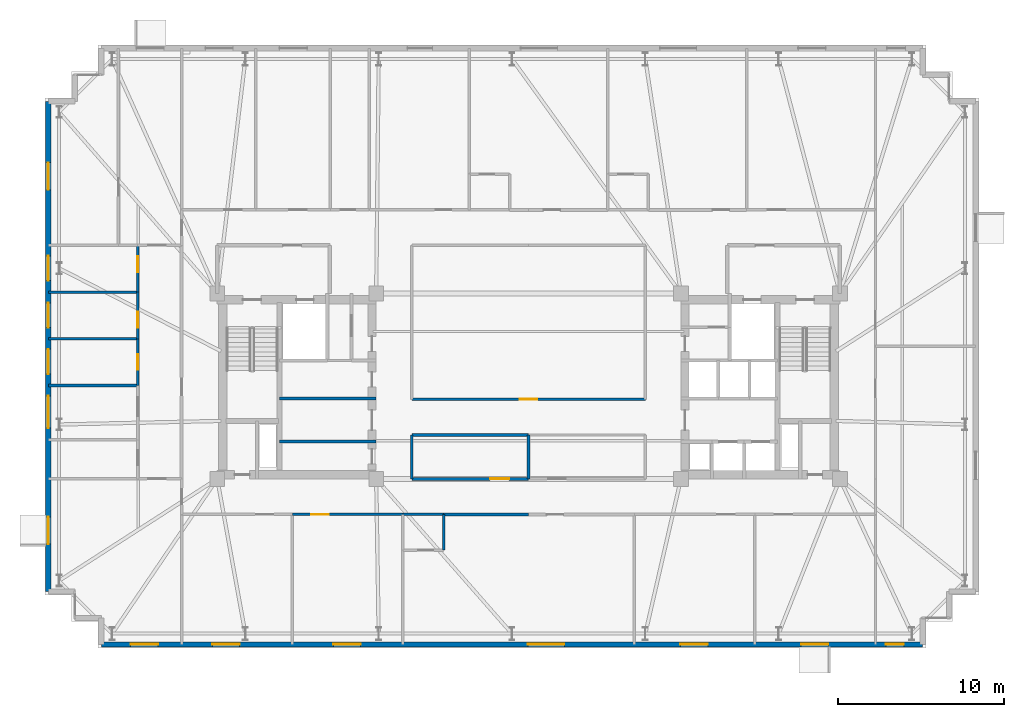
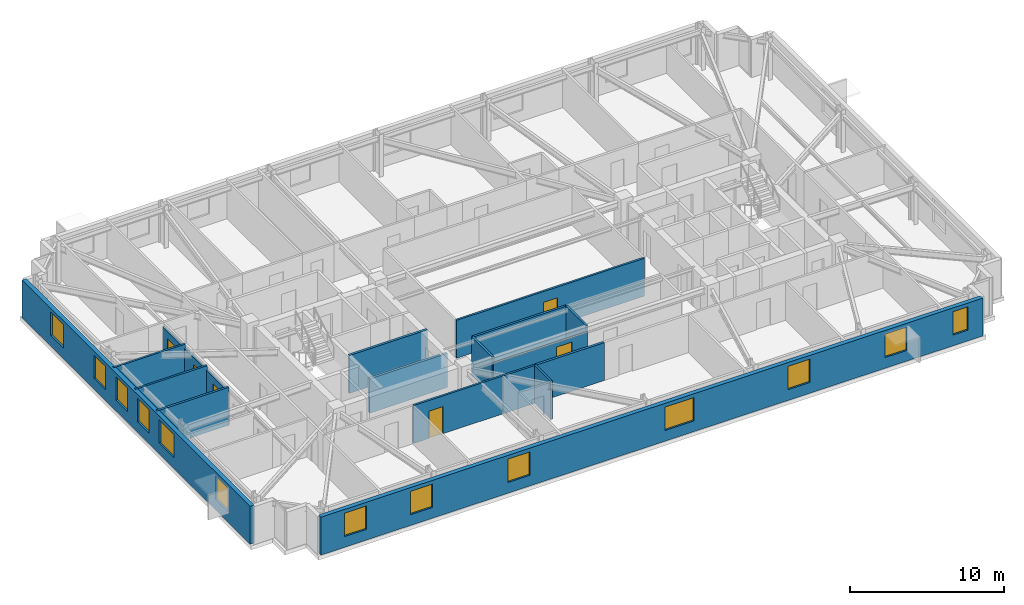
# One storey, part 11 of 17: 19 walls, 13 windows, 6 doors, 19 openings.
"""IFC4 building model written with IfcOpenShell, lengths in metres."""

from ifc_helpers import new_model, si_unit, direction, frame, frame_2d, origin, place, context, subcontext, project, spatial, rectangle, extrude, material, layer, layer_set, type_object, element, fill, save


model = new_model("IFC4")

# Units and contexts
model_context = context("Model", 3, precision=1e-05, world=origin(), true_north=direction((0.0, 1.0)))
body_context = subcontext(model_context, "Body", "Model", "MODEL_VIEW")
ifc_project = project(units=[si_unit("LENGTHUNIT", "METRE"), si_unit("AREAUNIT", "SQUARE_METRE"), si_unit("VOLUMEUNIT", "CUBIC_METRE"), si_unit("PLANEANGLEUNIT", "RADIAN"), si_unit("MASSUNIT", "GRAM", prefix="KILO")], contexts=[model_context])

# Site, building, storey
site_placement = place(None, origin())
site = spatial("IfcSite", under=ifc_project, at=site_placement, CompositionType="ELEMENT")
building_placement = place(site_placement, origin())
building = spatial("IfcBuilding", under=site, at=building_placement, Name="Qobustan Lattice House", CompositionType="ELEMENT")
storey_placement = place(building_placement, frame((0.0, 0.0, 171.199951171875)))
storey = spatial("IfcBuildingStorey", under=building, at=storey_placement, Name="L48", CompositionType="ELEMENT", Elevation=171.199951171875)

# Wall, openings, windows
ifc_material_1 = material(Name="Precast concrete C40/50", Category="concrete")
ifc_layer_1 = layer(ifc_material_1, 0.320068359375)
ifc_layer_set_1 = layer_set([ifc_layer_1], Name="Precast concrete C40/50")
wall_type_1 = type_object("IfcWallType", Name="WAL-EXT-STONE-320", PredefinedType="SOLIDWALL", material=ifc_layer_set_1)
wall_1_placement = place(storey_placement, frame((-29.0, -12.39990234375, 0.0), z_axis=(0.0, 0.0, 1.0), x_axis=(0.0, 1.0, 0.0)))
wall_1 = element("IfcWall", 1, at=wall_1_placement, inside=storey, type_object=wall_type_1, Name="L48 exterior limestone-clad wall 5", PredefinedType="SOLIDWALL", context=body_context, shape_type="SweptSolid", body=[
    extrude(rectangle(XDim=29.599853515625, YDim=0.320068359375, at=frame_2d((14.7998046875, 0.0))), origin(), (0.0, 0.0, 1.0), 3.0),
])
opening_1_placement = place(wall_1_placement, frame((2.85498046875, 0.0, 0.85009765625)))
opening_1 = element("IfcOpeningElement", 2, at=opening_1_placement, cuts=wall_1, Name="Opening WN-09", PredefinedType="OPENING", context=body_context, shape_type="SweptSolid", body=[
    extrude(rectangle(XDim=1.64990234375, YDim=1.85009765625, at=frame_2d((0.824951171875, 0.925048828125))), frame((0.0, 0.169921875, 0.0), z_axis=(0.0, -1.0, 0.0), x_axis=(1.0, 0.0, 0.0)), (0.0, 0.0, 1.0), 0.340087890625),
])
opening_2_placement = place(wall_1_placement, frame((9.864990234375, 0.0, 0.85009765625)))
opening_2 = element("IfcOpeningElement", 3, at=opening_2_placement, cuts=wall_1, Name="Opening WN-08", PredefinedType="OPENING", context=body_context, shape_type="SweptSolid", body=[
    extrude(rectangle(XDim=1.949951171875, YDim=1.85009765625, at=frame_2d((0.97509765625, 0.925048828125))), frame((0.0, 0.169921875, 0.0), z_axis=(0.0, -1.0, 0.0), x_axis=(1.0, 0.0, 0.0)), (0.0, 0.0, 1.0), 0.340087890625),
])
opening_3_placement = place(wall_1_placement, frame((13.1298828125, 0.0, 0.85009765625)))
opening_3 = element("IfcOpeningElement", 4, at=opening_3_placement, cuts=wall_1, Name="Opening WN-01", PredefinedType="OPENING", context=body_context, shape_type="SweptSolid", body=[
    extrude(rectangle(XDim=1.5, YDim=1.85009765625, at=frame_2d((0.75, 0.925048828125))), frame((0.0, 0.169921875, 0.0), z_axis=(0.0, -1.0, 0.0), x_axis=(1.0, 0.0, 0.0)), (0.0, 0.0, 1.0), 0.340087890625),
])
opening_4_placement = place(wall_1_placement, frame((15.929931640625, 0.0, 0.85009765625)))
opening_4 = element("IfcOpeningElement", 5, at=opening_4_placement, cuts=wall_1, Name="Opening WN-01", PredefinedType="OPENING", context=body_context, shape_type="SweptSolid", body=[
    extrude(rectangle(XDim=1.5, YDim=1.85009765625, at=frame_2d((0.75, 0.925048828125))), frame((0.0, 0.169921875, 0.0), z_axis=(0.0, -1.0, 0.0), x_axis=(1.0, 0.0, 0.0)), (0.0, 0.0, 1.0), 0.340087890625),
])
opening_5_placement = place(wall_1_placement, frame((18.77001953125, 0.0, 0.85009765625)))
opening_5 = element("IfcOpeningElement", 6, at=opening_5_placement, cuts=wall_1, Name="Opening WN-01", PredefinedType="OPENING", context=body_context, shape_type="SweptSolid", body=[
    extrude(rectangle(XDim=1.5, YDim=1.85009765625, at=frame_2d((0.75, 0.925048828125))), frame((0.0, 0.169921875, 0.0), z_axis=(0.0, -1.0, 0.0), x_axis=(1.0, 0.0, 0.0)), (0.0, 0.0, 1.0), 0.340087890625),
])
opening_6_placement = place(wall_1_placement, frame((24.2548828125, 0.0, 0.85009765625)))
opening_6 = element("IfcOpeningElement", 7, at=opening_6_placement, cuts=wall_1, Name="Opening WN-09", PredefinedType="OPENING", context=body_context, shape_type="SweptSolid", body=[
    extrude(rectangle(XDim=1.64990234375, YDim=1.85009765625, at=frame_2d((0.824951171875, 0.925048828125))), frame((0.0, 0.169921875, 0.0), z_axis=(0.0, -1.0, 0.0), x_axis=(1.0, 0.0, 0.0)), (0.0, 0.0, 1.0), 0.340087890625),
])
ifc_material_2 = material(Name="Double-glazed low-E aluminium window", Category="aluminium")
window_type_1 = type_object("IfcWindowType", Name="WIN-BED-1500x1850", PartitioningType="SINGLE_PANEL", PredefinedType="WINDOW", material=ifc_material_2)
window_1_placement = place(opening_3_placement, origin())
window_1 = element("IfcWindow", 8, at=window_1_placement, inside=storey, type_object=window_type_1, Name="L48 Cluster bedroom L48W1 window", OverallHeight=1.85009765625, OverallWidth=1.5, PartitioningType="SINGLE_PANEL", PredefinedType="WINDOW", context=body_context, shape_type="SweptSolid", body=[
    extrude(rectangle(XDim=1.5, YDim=1.85009765625, at=frame_2d((0.75, 0.925048828125))), frame((0.0, 0.030029296875, 0.0), z_axis=(0.0, -1.0, 0.0), x_axis=(1.0, 0.0, 0.0)), (0.0, 0.0, 1.0), 0.06005859375),
])
fill(opening_3, window_1)
window_2_placement = place(opening_4_placement, origin())
window_2 = element("IfcWindow", 9, at=window_2_placement, inside=storey, type_object=window_type_1, Name="L48 Cluster bedroom L48W2 window", OverallHeight=1.85009765625, OverallWidth=1.5, PartitioningType="SINGLE_PANEL", PredefinedType="WINDOW", context=body_context, shape_type="SweptSolid", body=[
    extrude(rectangle(XDim=1.5, YDim=1.85009765625, at=frame_2d((0.75, 0.925048828125))), frame((0.0, 0.030029296875, 0.0), z_axis=(0.0, -1.0, 0.0), x_axis=(1.0, 0.0, 0.0)), (0.0, 0.0, 1.0), 0.06005859375),
])
fill(opening_4, window_2)
window_3_placement = place(opening_5_placement, origin())
window_3 = element("IfcWindow", 10, at=window_3_placement, inside=storey, type_object=window_type_1, Name="L48 Cluster bedroom L48W3 window", OverallHeight=1.85009765625, OverallWidth=1.5, PartitioningType="SINGLE_PANEL", PredefinedType="WINDOW", context=body_context, shape_type="SweptSolid", body=[
    extrude(rectangle(XDim=1.5, YDim=1.85009765625, at=frame_2d((0.75, 0.925048828125))), frame((0.0, 0.030029296875, 0.0), z_axis=(0.0, -1.0, 0.0), x_axis=(1.0, 0.0, 0.0)), (0.0, 0.0, 1.0), 0.06005859375),
])
fill(opening_5, window_3)
ifc_material_3 = material(Name="Double-glazed low-E aluminium window", Category="aluminium")
window_type_2 = type_object("IfcWindowType", Name="WIN-KIT-1950x1850", PartitioningType="SINGLE_PANEL", PredefinedType="WINDOW", material=ifc_material_3)
window_4_placement = place(opening_2_placement, origin())
window_4 = element("IfcWindow", 11, at=window_4_placement, inside=storey, type_object=window_type_2, Name="L48 Shared kitchen L48W window", OverallHeight=1.85009765625, OverallWidth=1.949951171875, PartitioningType="SINGLE_PANEL", PredefinedType="WINDOW", context=body_context, shape_type="SweptSolid", body=[
    extrude(rectangle(XDim=1.949951171875, YDim=1.85009765625, at=frame_2d((0.97509765625, 0.925048828125))), frame((0.0, 0.030029296875, 0.0), z_axis=(0.0, -1.0, 0.0), x_axis=(1.0, 0.0, 0.0)), (0.0, 0.0, 1.0), 0.06005859375),
])
fill(opening_2, window_4)
ifc_material_4 = material(Name="Double-glazed low-E aluminium window", Category="aluminium")
window_type_3 = type_object("IfcWindowType", Name="WIN-STU-1650x1850", PartitioningType="SINGLE_PANEL", PredefinedType="WINDOW", material=ifc_material_4)
window_5_placement = place(opening_1_placement, origin())
window_5 = element("IfcWindow", 12, at=window_5_placement, inside=storey, type_object=window_type_3, Name="L48 Reading study room L48WS window", OverallHeight=1.85009765625, OverallWidth=1.64990234375, PartitioningType="SINGLE_PANEL", PredefinedType="WINDOW", context=body_context, shape_type="SweptSolid", body=[
    extrude(rectangle(XDim=1.64990234375, YDim=1.85009765625, at=frame_2d((0.824951171875, 0.925048828125))), frame((0.0, 0.030029296875, 0.0), z_axis=(0.0, -1.0, 0.0), x_axis=(1.0, 0.0, 0.0)), (0.0, 0.0, 1.0), 0.06005859375),
])
fill(opening_1, window_5)
window_6_placement = place(opening_6_placement, origin())
window_6 = element("IfcWindow", 13, at=window_6_placement, inside=storey, type_object=window_type_3, Name="L48 Collaborative study room L48WN window", OverallHeight=1.85009765625, OverallWidth=1.64990234375, PartitioningType="SINGLE_PANEL", PredefinedType="WINDOW", context=body_context, shape_type="SweptSolid", body=[
    extrude(rectangle(XDim=1.64990234375, YDim=1.85009765625, at=frame_2d((0.824951171875, 0.925048828125))), frame((0.0, 0.030029296875, 0.0), z_axis=(0.0, -1.0, 0.0), x_axis=(1.0, 0.0, 0.0)), (0.0, 0.0, 1.0), 0.06005859375),
])
fill(opening_6, window_6)

wall_2_placement = place(storey_placement, frame((23.800048828125, -15.60009765625, 0.0), z_axis=(0.0, 0.0, 1.0), x_axis=(-1.0, 0.0, 0.0)))
wall_2 = element("IfcWall", 14, at=wall_2_placement, inside=storey, type_object=wall_type_1, Name="L48 exterior limestone-clad wall 20", PredefinedType="SOLIDWALL", context=body_context, shape_type="SweptSolid", body=[
    extrude(rectangle(XDim=49.60009765625, YDim=0.320068359375, at=frame_2d((24.800048828125, 0.0))), origin(), (0.0, 0.0, 1.0), 3.0),
])
opening_7_placement = place(wall_2_placement, frame((1.1298828125, 0.0, 0.85009765625)))
opening_7 = element("IfcOpeningElement", 15, at=opening_7_placement, cuts=wall_2, Name="Opening WN-04", PredefinedType="OPENING", context=body_context, shape_type="SweptSolid", body=[
    extrude(rectangle(XDim=1.10009765625, YDim=1.85009765625, at=frame_2d((0.550048828125, 0.925048828125))), frame((0.0, 0.169921875, 0.0), z_axis=(0.0, -1.0, 0.0), x_axis=(1.0, 0.0, 0.0)), (0.0, 0.0, 1.0), 0.340087890625),
])
opening_8_placement = place(wall_2_placement, frame((5.695068359375, 0.0, 0.85009765625)))
opening_8 = element("IfcOpeningElement", 16, at=opening_8_placement, cuts=wall_2, Name="Opening WN-09", PredefinedType="OPENING", context=body_context, shape_type="SweptSolid", body=[
    extrude(rectangle(XDim=1.64990234375, YDim=1.85009765625, at=frame_2d((0.824951171875, 0.925048828125))), frame((0.0, 0.169921875, 0.0), z_axis=(0.0, -1.0, 0.0), x_axis=(1.0, 0.0, 0.0)), (0.0, 0.0, 1.0), 0.340087890625),
])
opening_9_placement = place(wall_2_placement, frame((12.97509765625, 0.0, 0.85009765625)))
opening_9 = element("IfcOpeningElement", 17, at=opening_9_placement, cuts=wall_2, Name="Opening WN-09", PredefinedType="OPENING", context=body_context, shape_type="SweptSolid", body=[
    extrude(rectangle(XDim=1.64990234375, YDim=1.85009765625, at=frame_2d((0.824951171875, 0.925048828125))), frame((0.0, 0.169921875, 0.0), z_axis=(0.0, -1.0, 0.0), x_axis=(1.0, 0.0, 0.0)), (0.0, 0.0, 1.0), 0.340087890625),
])
opening_10_placement = place(wall_2_placement, frame((21.635986328125, 0.0, 0.85009765625)))
opening_10 = element("IfcOpeningElement", 18, at=opening_10_placement, cuts=wall_2, Name="Opening WN-03", PredefinedType="OPENING", context=body_context, shape_type="SweptSolid", body=[
    extrude(rectangle(XDim=2.199951171875, YDim=1.85009765625, at=frame_2d((1.10009765625, 0.925048828125))), frame((0.0, 0.169921875, 0.0), z_axis=(0.0, -1.0, 0.0), x_axis=(1.0, 0.0, 0.0)), (0.0, 0.0, 1.0), 0.340087890625),
])
opening_11_placement = place(wall_2_placement, frame((33.93505859375, 0.0, 0.85009765625)))
opening_11 = element("IfcOpeningElement", 19, at=opening_11_placement, cuts=wall_2, Name="Opening WN-09", PredefinedType="OPENING", context=body_context, shape_type="SweptSolid", body=[
    extrude(rectangle(XDim=1.64990234375, YDim=1.85009765625, at=frame_2d((0.824951171875, 0.925048828125))), frame((0.0, 0.169921875, 0.0), z_axis=(0.0, -1.0, 0.0), x_axis=(1.0, 0.0, 0.0)), (0.0, 0.0, 1.0), 0.340087890625),
])
opening_12_placement = place(wall_2_placement, frame((41.240478515625, 0.0, 0.85009765625)))
opening_12 = element("IfcOpeningElement", 20, at=opening_12_placement, cuts=wall_2, Name="Opening WN-09", PredefinedType="OPENING", context=body_context, shape_type="SweptSolid", body=[
    extrude(rectangle(XDim=1.64990234375, YDim=1.85009765625, at=frame_2d((0.824951171875, 0.925048828125))), frame((0.0, 0.169921875, 0.0), z_axis=(0.0, -1.0, 0.0), x_axis=(1.0, 0.0, 0.0)), (0.0, 0.0, 1.0), 0.340087890625),
])
opening_13_placement = place(wall_2_placement, frame((46.175048828125, 0.0, 0.85009765625)))
opening_13 = element("IfcOpeningElement", 21, at=opening_13_placement, cuts=wall_2, Name="Opening WN-09", PredefinedType="OPENING", context=body_context, shape_type="SweptSolid", body=[
    extrude(rectangle(XDim=1.64990234375, YDim=1.85009765625, at=frame_2d((0.824951171875, 0.925048828125))), frame((0.0, 0.169921875, 0.0), z_axis=(0.0, -1.0, 0.0), x_axis=(1.0, 0.0, 0.0)), (0.0, 0.0, 1.0), 0.340087890625),
])
ifc_material_5 = material(Name="Double-glazed low-E aluminium window", Category="aluminium")
window_type_4 = type_object("IfcWindowType", Name="WIN-NAR-1100x1850", PartitioningType="SINGLE_PANEL", PredefinedType="WINDOW", material=ifc_material_5)
window_7_placement = place(opening_7_placement, origin())
window_7 = element("IfcWindow", 22, at=window_7_placement, inside=storey, type_object=window_type_4, Name="L48 Fellows reading room window", OverallHeight=1.85009765625, OverallWidth=1.10009765625, PartitioningType="SINGLE_PANEL", PredefinedType="WINDOW", context=body_context, shape_type="SweptSolid", body=[
    extrude(rectangle(XDim=1.10009765625, YDim=1.85009765625, at=frame_2d((0.550048828125, 0.925048828125))), frame((0.0, 0.030029296875, 0.0), z_axis=(0.0, -1.0, 0.0), x_axis=(1.0, 0.0, 0.0)), (0.0, 0.0, 1.0), 0.06005859375),
])
fill(opening_7, window_7)
window_8_placement = place(opening_8_placement, origin())
window_8 = element("IfcWindow", 23, at=window_8_placement, inside=storey, type_object=window_type_3, Name="L48 Academic seminar room window", OverallHeight=1.85009765625, OverallWidth=1.64990234375, PartitioningType="SINGLE_PANEL", PredefinedType="WINDOW", context=body_context, shape_type="SweptSolid", body=[
    extrude(rectangle(XDim=1.64990234375, YDim=1.85009765625, at=frame_2d((0.824951171875, 0.925048828125))), frame((0.0, 0.030029296875, 0.0), z_axis=(0.0, -1.0, 0.0), x_axis=(1.0, 0.0, 0.0)), (0.0, 0.0, 1.0), 0.06005859375),
])
fill(opening_8, window_8)
window_9_placement = place(opening_9_placement, origin())
window_9 = element("IfcWindow", 24, at=window_9_placement, inside=storey, type_object=window_type_3, Name="L48 Group study room window", OverallHeight=1.85009765625, OverallWidth=1.64990234375, PartitioningType="SINGLE_PANEL", PredefinedType="WINDOW", context=body_context, shape_type="SweptSolid", body=[
    extrude(rectangle(XDim=1.64990234375, YDim=1.85009765625, at=frame_2d((0.824951171875, 0.925048828125))), frame((0.0, 0.030029296875, 0.0), z_axis=(0.0, -1.0, 0.0), x_axis=(1.0, 0.0, 0.0)), (0.0, 0.0, 1.0), 0.06005859375),
])
fill(opening_9, window_9)
window_10_placement = place(opening_11_placement, origin())
window_10 = element("IfcWindow", 25, at=window_10_placement, inside=storey, type_object=window_type_3, Name="L48 Focus study room S1B window", OverallHeight=1.85009765625, OverallWidth=1.64990234375, PartitioningType="SINGLE_PANEL", PredefinedType="WINDOW", context=body_context, shape_type="SweptSolid", body=[
    extrude(rectangle(XDim=1.64990234375, YDim=1.85009765625, at=frame_2d((0.824951171875, 0.925048828125))), frame((0.0, 0.030029296875, 0.0), z_axis=(0.0, -1.0, 0.0), x_axis=(1.0, 0.0, 0.0)), (0.0, 0.0, 1.0), 0.06005859375),
])
fill(opening_11, window_10)
window_11_placement = place(opening_12_placement, origin())
window_11 = element("IfcWindow", 26, at=window_11_placement, inside=storey, type_object=window_type_3, Name="L48 Focus study room S1A window", OverallHeight=1.85009765625, OverallWidth=1.64990234375, PartitioningType="SINGLE_PANEL", PredefinedType="WINDOW", context=body_context, shape_type="SweptSolid", body=[
    extrude(rectangle(XDim=1.64990234375, YDim=1.85009765625, at=frame_2d((0.824951171875, 0.925048828125))), frame((0.0, 0.030029296875, 0.0), z_axis=(0.0, -1.0, 0.0), x_axis=(1.0, 0.0, 0.0)), (0.0, 0.0, 1.0), 0.06005859375),
])
fill(opening_12, window_11)
window_12_placement = place(opening_13_placement, origin())
window_12 = element("IfcWindow", 27, at=window_12_placement, inside=storey, type_object=window_type_3, Name="L48 Reading study room L48WS window", OverallHeight=1.85009765625, OverallWidth=1.64990234375, PartitioningType="SINGLE_PANEL", PredefinedType="WINDOW", context=body_context, shape_type="SweptSolid", body=[
    extrude(rectangle(XDim=1.64990234375, YDim=1.85009765625, at=frame_2d((0.824951171875, 0.925048828125))), frame((0.0, 0.030029296875, 0.0), z_axis=(0.0, -1.0, 0.0), x_axis=(1.0, 0.0, 0.0)), (0.0, 0.0, 1.0), 0.06005859375),
])
fill(opening_13, window_12)
ifc_material_6 = material(Name="Double-glazed low-E aluminium window", Category="aluminium")
window_type_5 = type_object("IfcWindowType", Name="WIN-WIDE-2200x1850", PartitioningType="SINGLE_PANEL", PredefinedType="WINDOW", material=ifc_material_6)
window_13_placement = place(opening_10_placement, origin())
window_13 = element("IfcWindow", 28, at=window_13_placement, inside=storey, type_object=window_type_5, Name="L48 Kitchenette and studio apartment L48-S2 window", OverallHeight=1.85009765625, OverallWidth=2.199951171875, PartitioningType="SINGLE_PANEL", PredefinedType="WINDOW", context=body_context, shape_type="SweptSolid", body=[
    extrude(rectangle(XDim=2.199951171875, YDim=1.85009765625, at=frame_2d((1.10009765625, 0.925048828125))), frame((0.0, 0.030029296875, 0.0), z_axis=(0.0, -1.0, 0.0), x_axis=(1.0, 0.0, 0.0)), (0.0, 0.0, 1.0), 0.06005859375),
])
fill(opening_10, window_13)

# Walls
ifc_material_7 = material(Name="Gypsum fireboard acoustic partition", Category="gypsum")
ifc_layer_2 = layer(ifc_material_7, 0.179931640625)
ifc_layer_set_2 = layer_set([ifc_layer_2], Name="Gypsum fireboard acoustic partition")
wall_type_2 = type_object("IfcWallType", Name="WAL-FIRE-180", PredefinedType="PARTITIONING", material=ifc_layer_set_2)
wall_3_placement = place(storey_placement, frame((-15.050048828125, -3.35009765625, 0.0), z_axis=(0.0, 0.0, 1.0), x_axis=(1.0, 0.0, 0.0)))
element("IfcWall", 29, at=wall_3_placement, inside=storey, type_object=wall_type_2, Name="L48 interior partition 10", PredefinedType="PARTITIONING", context=body_context, shape_type="SweptSolid", body=[
    extrude(rectangle(XDim=5.85009765625, YDim=0.179931640625, at=frame_2d((2.925048828125, 0.0))), origin(), (0.0, 0.0, 1.0), 2.715087890625),
])
wall_4_placement = place(storey_placement, frame((-9.199951171875, -0.75, 0.0), z_axis=(0.0, 0.0, 1.0), x_axis=(-1.0, 0.0, 0.0)))
element("IfcWall", 30, at=wall_4_placement, inside=storey, type_object=wall_type_2, Name="L48 interior partition 11", PredefinedType="PARTITIONING", context=body_context, shape_type="SweptSolid", body=[
    extrude(rectangle(XDim=5.85009765625, YDim=0.179931640625, at=frame_2d((2.925048828125, 0.0))), origin(), (0.0, 0.0, 1.0), 3.0),
])
wall_5_placement = place(storey_placement, frame((0.0, -7.75, 0.0), z_axis=(0.0, 0.0, 1.0), x_axis=(-1.0, 0.0, 0.0)))
element("IfcWall", 31, at=wall_5_placement, inside=storey, type_object=wall_type_2, Name="L48 interior partition 51", PredefinedType="PARTITIONING", context=body_context, shape_type="SweptSolid", body=[
    extrude(rectangle(XDim=5.133056640625, YDim=0.179931640625, at=frame_2d((2.56640625, 0.0))), origin(), (0.0, 0.0, 1.0), 3.0),
])

# Wall, opening, door
ifc_material_8 = material(Name="Acoustic twin-stud gypsum partition", Category="gypsum")
ifc_layer_3 = layer(ifc_material_8, 0.14990234375)
ifc_layer_set_3 = layer_set([ifc_layer_3], Name="Acoustic twin-stud gypsum partition")
wall_type_3 = type_object("IfcWallType", Name="WAL-PART-150", PredefinedType="PARTITIONING", material=ifc_layer_set_3)
wall_6_placement = place(storey_placement, frame((-7.5830078125, -7.75, 0.0), z_axis=(0.0, 0.0, 1.0), x_axis=(-1.0, 0.0, 0.0)))
wall_6 = element("IfcWall", 32, at=wall_6_placement, inside=storey, type_object=wall_type_3, Name="L48 interior partition 50", PredefinedType="PARTITIONING", context=body_context, shape_type="SweptSolid", body=[
    extrude(rectangle(XDim=6.68359375, YDim=0.14990234375, at=frame_2d((3.341796875, 0.0))), origin(), (0.0, 0.0, 1.0), 3.0),
])
opening_14_placement = place(wall_6_placement, frame((4.494384765625, 0.0, 0.0)))
opening_14 = element("IfcOpeningElement", 33, at=opening_14_placement, cuts=wall_6, Name="Opening ID-02", PredefinedType="OPENING", context=body_context, shape_type="SweptSolid", body=[
    extrude(rectangle(XDim=1.050048828125, YDim=2.14990234375, at=frame_2d((0.52490234375, 1.074951171875))), frame((0.0, 0.0849609375, 0.0), z_axis=(0.0, -1.0, 0.0), x_axis=(1.0, 0.0, 0.0)), (0.0, 0.0, 1.0), 0.169921875),
])
ifc_material_9 = material(Name="Persian walnut timber and steel frame door", Category="steel")
door_type_1 = type_object("IfcDoorType", Name="DOR-STUDY-1050x2150", OperationType="NOTDEFINED", PredefinedType="DOOR", material=ifc_material_9)
door_1_placement = place(opening_14_placement, origin())
door_1 = element("IfcDoor", 34, at=door_1_placement, inside=storey, type_object=door_type_1, Name="L48 South-west floor corridor to Focus study room S1B door", OperationType="SINGLE_SWING_LEFT", OverallHeight=2.14990234375, OverallWidth=1.050048828125, PredefinedType="DOOR", context=body_context, shape_type="SweptSolid", body=[
    extrude(rectangle(XDim=1.050048828125, YDim=2.14990234375, at=frame_2d((0.52490234375, 1.074951171875))), frame((0.0, 0.02490234375, 0.0), z_axis=(0.0, -1.0, 0.0), x_axis=(1.0, 0.0, 0.0)), (0.0, 0.0, 1.0), 0.050048828125),
])
fill(opening_14, door_1)

wall_7_placement = place(storey_placement, frame((-7.050048828125, -0.800048828125, 0.0), z_axis=(0.0, 0.0, 1.0), x_axis=(1.0, 0.0, 0.0)))
wall_7 = element("IfcWall", 35, at=wall_7_placement, inside=storey, type_object=wall_type_3, Name="L48 interior partition 62", PredefinedType="PARTITIONING", context=body_context, shape_type="SweptSolid", body=[
    extrude(rectangle(XDim=14.10009765625, YDim=0.14990234375, at=frame_2d((7.050048828125, 0.0))), origin(), (0.0, 0.0, 1.0), 3.0),
])
opening_15_placement = place(wall_7_placement, frame((6.52490234375, 0.0, 0.0)))
opening_15 = element("IfcOpeningElement", 36, at=opening_15_placement, cuts=wall_7, Name="Opening ID-02", PredefinedType="OPENING", context=body_context, shape_type="SweptSolid", body=[
    extrude(rectangle(XDim=1.050048828125, YDim=2.14990234375, at=frame_2d((0.52490234375, 1.074951171875))), frame((0.0, 0.0849609375, 0.0), z_axis=(0.0, -1.0, 0.0), x_axis=(1.0, 0.0, 0.0)), (0.0, 0.0, 1.0), 0.169921875),
])
door_2_placement = place(opening_15_placement, origin())
door_2 = element("IfcDoor", 37, at=door_2_placement, inside=storey, type_object=door_type_1, Name="L48 Central spine corridor to Academic seminar commons door", OperationType="SINGLE_SWING_RIGHT", OverallHeight=2.14990234375, OverallWidth=1.050048828125, PredefinedType="DOOR", context=body_context, shape_type="SweptSolid", body=[
    extrude(rectangle(XDim=1.050048828125, YDim=2.14990234375, at=frame_2d((0.52490234375, 1.074951171875))), frame((0.0, 0.02490234375, 0.0), z_axis=(0.0, -1.0, 0.0), x_axis=(1.0, 0.0, 0.0)), (0.0, 0.0, 1.0), 0.050048828125),
])
fill(opening_15, door_2)

wall_8_placement = place(storey_placement, frame((-23.60009765625, 0.0400390625, 0.0), z_axis=(0.0, 0.0, 1.0), x_axis=(0.0, 1.0, 0.0)))
wall_8 = element("IfcWall", 38, at=wall_8_placement, inside=storey, type_object=wall_type_3, Name="L48 interior partition 73", PredefinedType="PARTITIONING", context=body_context, shape_type="SweptSolid", body=[
    extrude(rectangle(XDim=2.820068359375, YDim=0.14990234375, at=frame_2d((1.41015625, 0.0))), origin(), (0.0, 0.0, 1.0), 2.655029296875),
])
opening_16_placement = place(wall_8_placement, frame((0.93505859375, 0.0, 0.0)))
opening_16 = element("IfcOpeningElement", 39, at=opening_16_placement, cuts=wall_8, Name="Opening ID-01", PredefinedType="OPENING", context=body_context, shape_type="SweptSolid", body=[
    extrude(rectangle(XDim=0.949951171875, YDim=2.10009765625, at=frame_2d((0.47509765625, 1.050048828125))), frame((0.0, 0.0849609375, 0.0), z_axis=(0.0, -1.0, 0.0), x_axis=(1.0, 0.0, 0.0)), (0.0, 0.0, 1.0), 0.169921875),
])
ifc_material_10 = material(Name="Persian walnut timber and steel frame door", Category="steel")
door_type_2 = type_object("IfcDoorType", Name="DOR-ROOM-950x2100", OperationType="NOTDEFINED", PredefinedType="DOOR", material=ifc_material_10)
door_3_placement = place(opening_16_placement, origin())
door_3 = element("IfcDoor", 40, at=door_3_placement, inside=storey, type_object=door_type_2, Name="L48 Residence entrance hall L48W to Cluster bedroom L48W1 door", OperationType="SINGLE_SWING_LEFT", OverallHeight=2.10009765625, OverallWidth=0.949951171875, PredefinedType="DOOR", context=body_context, shape_type="SweptSolid", body=[
    extrude(rectangle(XDim=0.949951171875, YDim=2.10009765625, at=frame_2d((0.47509765625, 1.050048828125))), frame((0.0, 0.02490234375, 0.0), z_axis=(0.0, -1.0, 0.0), x_axis=(1.0, 0.0, 0.0)), (0.0, 0.0, 1.0), 0.050048828125),
])
fill(opening_16, door_3)

wall_9_placement = place(storey_placement, frame((-23.60009765625, 2.860107421875, 0.0), z_axis=(0.0, 0.0, 1.0), x_axis=(0.0, 1.0, 0.0)))
wall_9 = element("IfcWall", 41, at=wall_9_placement, inside=storey, type_object=wall_type_3, Name="L48 interior partition 74", PredefinedType="PARTITIONING", context=body_context, shape_type="SweptSolid", body=[
    extrude(rectangle(XDim=2.81982421875, YDim=0.14990234375, at=frame_2d((1.409912109375, 0.0))), origin(), (0.0, 0.0, 1.0), 2.655029296875),
])
opening_17_placement = place(wall_9_placement, frame((0.668701171875, 0.0, 0.0)))
opening_17 = element("IfcOpeningElement", 42, at=opening_17_placement, cuts=wall_9, Name="Opening ID-01", PredefinedType="OPENING", context=body_context, shape_type="SweptSolid", body=[
    extrude(rectangle(XDim=0.949951171875, YDim=2.10009765625, at=frame_2d((0.47509765625, 1.050048828125))), frame((0.0, 0.0849609375, 0.0), z_axis=(0.0, -1.0, 0.0), x_axis=(1.0, 0.0, 0.0)), (0.0, 0.0, 1.0), 0.169921875),
])
door_4_placement = place(opening_17_placement, origin())
door_4 = element("IfcDoor", 43, at=door_4_placement, inside=storey, type_object=door_type_2, Name="L48 Residence entrance hall L48W to Cluster bedroom L48W2 door", OperationType="SINGLE_SWING_RIGHT", OverallHeight=2.10009765625, OverallWidth=0.949951171875, PredefinedType="DOOR", context=body_context, shape_type="SweptSolid", body=[
    extrude(rectangle(XDim=0.949951171875, YDim=2.10009765625, at=frame_2d((0.47509765625, 1.050048828125))), frame((0.0, 0.02490234375, 0.0), z_axis=(0.0, -1.0, 0.0), x_axis=(1.0, 0.0, 0.0)), (0.0, 0.0, 1.0), 0.050048828125),
])
fill(opening_17, door_4)

wall_10_placement = place(storey_placement, frame((-23.60009765625, 5.679931640625, 0.0), z_axis=(0.0, 0.0, 1.0), x_axis=(0.0, 1.0, 0.0)))
wall_10 = element("IfcWall", 44, at=wall_10_placement, inside=storey, type_object=wall_type_3, Name="L48 interior partition 75", PredefinedType="PARTITIONING", context=body_context, shape_type="SweptSolid", body=[
    extrude(rectangle(XDim=2.820068359375, YDim=0.14990234375, at=frame_2d((1.41015625, 0.0))), origin(), (0.0, 0.0, 1.0), 2.655029296875),
])
opening_18_placement = place(wall_10_placement, frame((1.201171875, 0.0, 0.0)))
opening_18 = element("IfcOpeningElement", 45, at=opening_18_placement, cuts=wall_10, Name="Opening ID-01", PredefinedType="OPENING", context=body_context, shape_type="SweptSolid", body=[
    extrude(rectangle(XDim=0.949951171875, YDim=2.10009765625, at=frame_2d((0.47509765625, 1.050048828125))), frame((0.0, 0.0849609375, 0.0), z_axis=(0.0, -1.0, 0.0), x_axis=(1.0, 0.0, 0.0)), (0.0, 0.0, 1.0), 0.169921875),
])
door_5_placement = place(opening_18_placement, origin())
door_5 = element("IfcDoor", 46, at=door_5_placement, inside=storey, type_object=door_type_2, Name="L48 Residence entrance hall L48W to Cluster bedroom L48W3 door", OperationType="SINGLE_SWING_LEFT", OverallHeight=2.10009765625, OverallWidth=0.949951171875, PredefinedType="DOOR", context=body_context, shape_type="SweptSolid", body=[
    extrude(rectangle(XDim=0.949951171875, YDim=2.10009765625, at=frame_2d((0.47509765625, 1.050048828125))), frame((0.0, 0.02490234375, 0.0), z_axis=(0.0, -1.0, 0.0), x_axis=(1.0, 0.0, 0.0)), (0.0, 0.0, 1.0), 0.050048828125),
])
fill(opening_18, door_5)

# Walls
for number, where, z_axis, x_axis, name in (
    (47, (-29.0, 2.860107421875, 0.0), (0.0, 0.0, 1.0), (1.0, 0.0, 0.0), "L48 interior partition 84"),
    (48, (-29.0, 5.679931640625, 0.0), (0.0, 0.0, 1.0), (1.0, 0.0, 0.0), "L48 interior partition 85"),
):
    element("IfcWall", number, at=place(storey_placement, frame(where, z_axis=z_axis, x_axis=x_axis)), inside=storey, type_object=wall_type_3, Name=name, PredefinedType="PARTITIONING", context=body_context, shape_type="SweptSolid", body=[
        extrude(rectangle(XDim=5.39990234375, YDim=0.14990234375, at=frame_2d((2.699951171875, 0.0))), origin(), (0.0, 0.0, 1.0), 3.0),
    ])

# Wall, opening, door
ifc_material_11 = material(Name="High-mass acoustic twin-stud partition", Category="gypsum")
ifc_layer_4 = layer(ifc_material_11, 0.1650390625)
ifc_layer_set_4 = layer_set([ifc_layer_4], Name="High-mass acoustic twin-stud partition")
wall_type_4 = type_object("IfcWallType", Name="WAL-PART-165", PredefinedType="PARTITIONING", material=ifc_layer_set_4)
wall_11_placement = place(storey_placement, frame((-7.050048828125, -5.60009765625, 0.0), z_axis=(0.0, 0.0, 1.0), x_axis=(1.0, 0.0, 0.0)))
wall_11 = element("IfcWall", 49, at=wall_11_placement, inside=storey, type_object=wall_type_4, Name="L48 interior partition 53", PredefinedType="PARTITIONING", context=body_context, shape_type="SweptSolid", body=[
    extrude(rectangle(XDim=7.050048828125, YDim=0.1650390625, at=frame_2d((3.52490234375, 0.0))), origin(), (0.0, 0.0, 1.0), 2.485107421875),
])
opening_19_placement = place(wall_11_placement, frame((4.7275390625, 0.0, 0.0)))
opening_19 = element("IfcOpeningElement", 50, at=opening_19_placement, cuts=wall_11, Name="Opening ID-03", PredefinedType="OPENING", context=body_context, shape_type="SweptSolid", body=[
    extrude(rectangle(XDim=1.14990234375, YDim=2.14990234375, at=frame_2d((0.574951171875, 1.074951171875))), frame((0.0, 0.092529296875, 0.0), z_axis=(0.0, -1.0, 0.0), x_axis=(1.0, 0.0, 0.0)), (0.0, 0.0, 1.0), 0.18505859375),
])
ifc_material_12 = material(Name="Persian walnut timber and steel frame door", Category="steel")
door_type_3 = type_object("IfcDoorType", Name="DOR-KITCH-1150x2150", OperationType="NOTDEFINED", PredefinedType="DOOR", material=ifc_material_12)
door_6_placement = place(opening_19_placement, origin())
door_6 = element("IfcDoor", 51, at=door_6_placement, inside=storey, type_object=door_type_3, Name="L48 South-west floor corridor to Shared dining kitchen door", OperationType="SINGLE_SWING_RIGHT", OverallHeight=2.14990234375, OverallWidth=1.14990234375, PredefinedType="DOOR", context=body_context, shape_type="SweptSolid", body=[
    extrude(rectangle(XDim=1.14990234375, YDim=2.14990234375, at=frame_2d((0.574951171875, 1.074951171875))), frame((0.0, 0.02490234375, 0.0), z_axis=(0.0, -1.0, 0.0), x_axis=(1.0, 0.0, 0.0)), (0.0, 0.0, 1.0), 0.050048828125),
])
fill(opening_19, door_6)

# Walls
wall_12_placement = place(storey_placement, frame((0.0, -2.949951171875, 0.0), z_axis=(0.0, 0.0, 1.0), x_axis=(-1.0, 0.0, 0.0)))
element("IfcWall", 52, at=wall_12_placement, inside=storey, type_object=wall_type_4, Name="L48 interior partition 63", PredefinedType="PARTITIONING", context=body_context, shape_type="SweptSolid", body=[
    extrude(rectangle(XDim=7.050048828125, YDim=0.1650390625, at=frame_2d((3.52490234375, 0.0))), origin(), (0.0, 0.0, 1.0), 3.0),
])
wall_13_placement = place(storey_placement, frame((-7.050048828125, -2.949951171875, 0.0), z_axis=(0.0, 0.0, 1.0), x_axis=(0.0, -1.0, 0.0)))
element("IfcWall", 53, at=wall_13_placement, inside=storey, type_object=wall_type_4, Name="L48 interior partition 66", PredefinedType="PARTITIONING", context=body_context, shape_type="SweptSolid", body=[
    extrude(rectangle(XDim=2.650146484375, YDim=0.1650390625, at=frame_2d((1.3251953125, 0.0))), origin(), (0.0, 0.0, 1.0), 3.0),
])
wall_14_placement = place(storey_placement, frame((-29.0, 0.0400390625, 0.0), z_axis=(0.0, 0.0, 1.0), x_axis=(1.0, 0.0, 0.0)))
element("IfcWall", 54, at=wall_14_placement, inside=storey, type_object=wall_type_4, Name="L48 interior partition 83", PredefinedType="PARTITIONING", context=body_context, shape_type="SweptSolid", body=[
    extrude(rectangle(XDim=5.39990234375, YDim=0.1650390625, at=frame_2d((2.699951171875, 0.0))), origin(), (0.0, 0.0, 1.0), 3.0),
])
wall_15_placement = place(storey_placement, frame((0.0, -2.949951171875, 0.0), z_axis=(0.0, 0.0, 1.0), x_axis=(0.0, -1.0, 0.0)))
element("IfcWall", 55, at=wall_15_placement, inside=storey, type_object=wall_type_4, Name="L48 interior partition 108", PredefinedType="PARTITIONING", context=body_context, shape_type="SweptSolid", body=[
    extrude(rectangle(XDim=2.650146484375, YDim=0.1650390625, at=frame_2d((1.3251953125, 0.0))), origin(), (0.0, 0.0, 1.0), 3.0),
])
ifc_material_13 = material(Name="Moisture-resistant acoustic plumbing wall", Category="gypsum")
ifc_layer_5 = layer(ifc_material_13, 0.14990234375)
ifc_layer_set_5 = layer_set([ifc_layer_5], Name="Moisture-resistant acoustic plumbing wall")
wall_type_5 = type_object("IfcWallType", Name="WAL-WET-150", PredefinedType="PLUMBINGWALL", material=ifc_layer_set_5)
wall_16_placement = place(storey_placement, frame((-5.133056640625, -7.75, 0.0), z_axis=(0.0, 0.0, 1.0), x_axis=(-1.0, 0.0, 0.0)))
element("IfcWall", 56, at=wall_16_placement, inside=storey, type_object=wall_type_5, Name="L48 interior partition 52", PredefinedType="PLUMBINGWALL", context=body_context, shape_type="SweptSolid", body=[
    extrude(rectangle(XDim=2.449951171875, YDim=0.14990234375, at=frame_2d((1.22509765625, 0.0))), origin(), (0.0, 0.0, 1.0), 3.0),
])
wall_17_placement = place(storey_placement, frame((-5.133056640625, -9.89990234375, 0.0), z_axis=(0.0, 0.0, 1.0), x_axis=(0.0, 1.0, 0.0)))
element("IfcWall", 57, at=wall_17_placement, inside=storey, type_object=wall_type_5, Name="L48 interior partition 105", PredefinedType="PLUMBINGWALL", context=body_context, shape_type="SweptSolid", body=[
    extrude(rectangle(XDim=2.14990234375, YDim=0.14990234375, at=frame_2d((1.074951171875, 0.0))), origin(), (0.0, 0.0, 1.0), 3.0),
])

save(model, "model.ifc")
